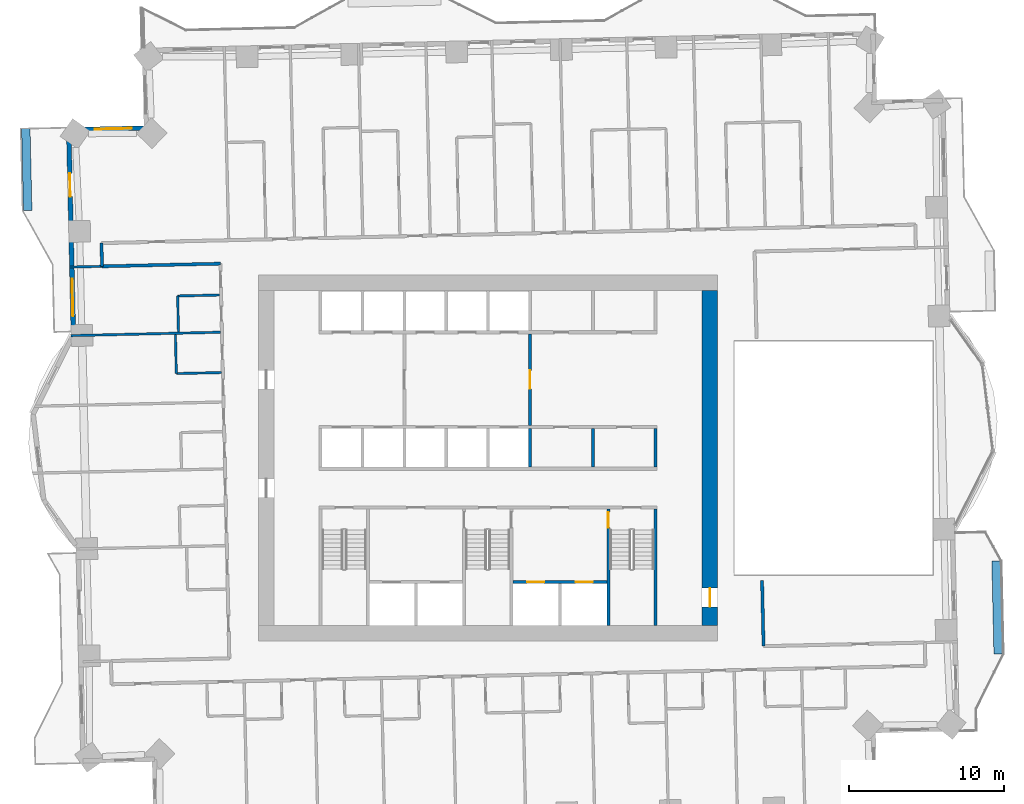
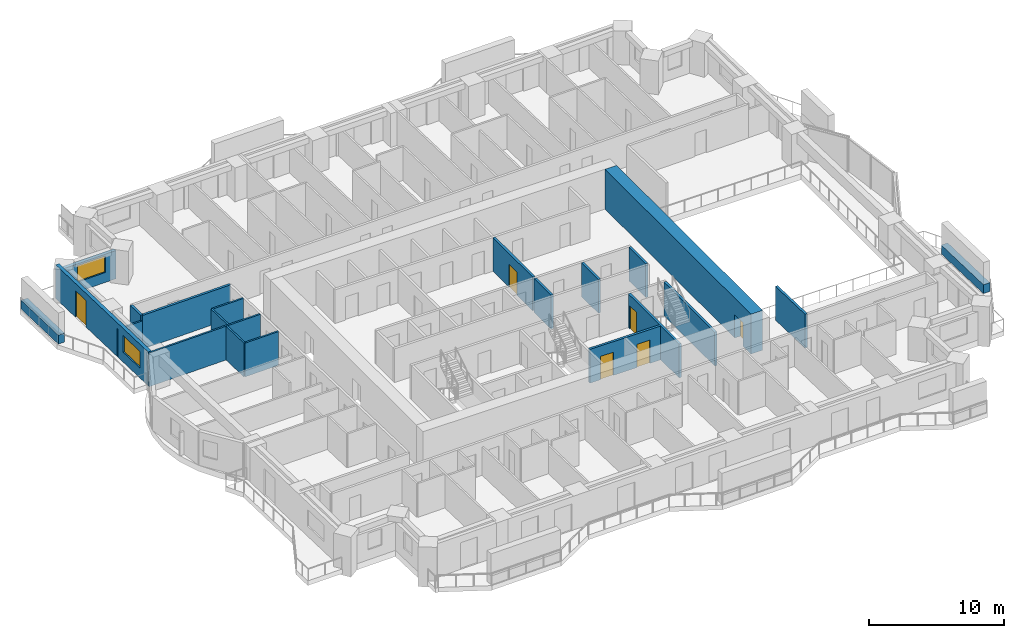
# One storey, part 10 of 17: 21 walls, 6 doors, 2 windows, 8 openings.
"""IFC4 building model written with IfcOpenShell, lengths in metres."""

from ifc_helpers import new_model, si_unit, direction, frame, frame_2d, origin, place, context, subcontext, project, spatial, rectangle, extrude, material, layer, layer_set, type_object, element, fill, save


model = new_model("IFC4")

# Units and contexts
model_context = context("Model", 3, precision=1e-05, world=origin(), true_north=direction((0.0, 1.0)))
body_context = subcontext(model_context, "Body", "Model", "MODEL_VIEW")
ifc_project = project(units=[si_unit("LENGTHUNIT", "METRE"), si_unit("AREAUNIT", "SQUARE_METRE"), si_unit("VOLUMEUNIT", "CUBIC_METRE"), si_unit("PLANEANGLEUNIT", "RADIAN"), si_unit("MASSUNIT", "GRAM", prefix="KILO")], contexts=[model_context])

# Site, building, storey
site_placement = place(None, origin())
site = spatial("IfcSite", under=ifc_project, at=site_placement, CompositionType="ELEMENT")
building_placement = place(site_placement, origin())
building = spatial("IfcBuilding", under=site, at=building_placement, Name="Mangrove Gate Tower", CompositionType="ELEMENT")
storey_placement = place(building_placement, frame((0.0, 0.0, 93.699951171875)))
storey = spatial("IfcBuildingStorey", under=building, at=storey_placement, Name="L23", CompositionType="ELEMENT", Elevation=93.699951171875)

# Wall, opening, door
ifc_material_1 = material(Name="Concrete C32/40", Category="concrete")
ifc_layer_1 = layer(ifc_material_1, 0.199951171875)
ifc_layer_set_1 = layer_set([ifc_layer_1], Name="Core lobby wall 200 C32/40")
wall_type_1 = type_object("IfcWallType", Name="Core lobby wall 200 C32/40", PredefinedType="STANDARD", material=ifc_layer_set_1)
wall_1_placement = place(storey_placement, frame((2.699951171875, 2.10009765625, 0.0), z_axis=(0.0, 0.0, 1.0), x_axis=(0.0, 1.0, 0.0)))
wall_1 = element("IfcWall", 1, at=wall_1_placement, inside=storey, type_object=wall_type_1, Name="WALL-L23-CORE-36", PredefinedType="STANDARD", context=body_context, shape_type="SweptSolid", body=[
    extrude(rectangle(XDim=5.89990234375, YDim=0.199951171875, at=frame_2d((2.949951171875, 0.0))), origin(), (0.0, 0.0, 1.0), 3.050048828125),
])
opening_1_placement = place(wall_1_placement, frame((2.35009765625, 0.0, 0.0)))
opening_1 = element("IfcOpeningElement", 2, at=opening_1_placement, cuts=wall_1, Name="Opening FL12", PredefinedType="OPENING", context=body_context, shape_type="SweptSolid", body=[
    extrude(rectangle(XDim=1.199951171875, YDim=2.10009765625, at=frame_2d((0.60009765625, 1.050048828125))), frame((0.0, 0.10986328125, 0.0), z_axis=(0.0, -1.0, 0.0), x_axis=(1.0, 0.0, 0.0)), (0.0, 0.0, 1.0), 0.219970703125),
])
ifc_material_2 = material(Name="Fire-rated steel door set", Category="steel")
door_type_1 = type_object("IfcDoorType", Name="Lobby door FD60 1200x2100", OperationType="SINGLE_SWING_LEFT", PredefinedType="DOOR", material=ifc_material_2)
door_1_placement = place(opening_1_placement, origin())
door_1 = element("IfcDoor", 3, at=door_1_placement, inside=storey, type_object=door_type_1, Name="Lobby door lift lobby partition", OperationType="SINGLE_SWING_LEFT", OverallHeight=2.10009765625, OverallWidth=1.199951171875, PredefinedType="DOOR", context=body_context, shape_type="SweptSolid", body=[
    extrude(rectangle(XDim=1.199951171875, YDim=2.10009765625, at=frame_2d((0.60009765625, 1.050048828125))), frame((0.0, 0.02490234375, 0.0), z_axis=(0.0, -1.0, 0.0), x_axis=(1.0, 0.0, 0.0)), (0.0, 0.0, 1.0), 0.050048828125),
])
fill(opening_1, door_1)

# Walls
ifc_material_3 = material(Name="Concrete C32/40", Category="concrete")
ifc_layer_2 = layer(ifc_material_3, 0.199951171875)
ifc_layer_set_2 = layer_set([ifc_layer_2], Name="Core room wall 200 C32/40")
wall_type_2 = type_object("IfcWallType", Name="Core room wall 200 C32/40", PredefinedType="STANDARD", material=ifc_layer_set_2)
for number, where, z_axis, x_axis, name in (
    (4, (6.75, -0.60009765625, 0.0), (0.0, 0.0, 1.0), (0.0, 1.0, 0.0), "WALL-L23-CORE-25"),
    (5, (10.800048828125, -0.60009765625, 0.0), (0.0, 0.0, 1.0), (0.0, 1.0, 0.0), "WALL-L23-CORE-26"),
):
    element("IfcWall", number, at=place(storey_placement, frame(where, z_axis=z_axis, x_axis=x_axis)), inside=storey, type_object=wall_type_2, Name=name, PredefinedType="STANDARD", context=body_context, shape_type="SweptSolid", body=[
        extrude(rectangle(XDim=2.5, YDim=0.199951171875, at=frame_2d((1.25, 0.0))), origin(), (0.0, 0.0, 1.0), 3.050048828125),
    ])

# Wall, openings, doors
ifc_material_4 = material(Name="Concrete C70/85", Category="concrete")
ifc_layer_3 = layer(ifc_material_4, 0.199951171875)
ifc_layer_set_3 = layer_set([ifc_layer_3], Name="Core shaft wall 200 C70/85")
wall_type_3 = type_object("IfcWallType", Name="Core shaft wall 200 C70/85", PredefinedType="SHEAR", material=ifc_layer_set_3)
wall_2_placement = place(storey_placement, frame((1.60009765625, -8.0, 0.0), z_axis=(0.0, 0.0, 1.0), x_axis=(1.0, 0.0, 0.0)))
wall_2 = element("IfcWall", 6, at=wall_2_placement, inside=storey, type_object=wall_type_3, Name="WALL-L23-CORE-17", PredefinedType="SHEAR", context=body_context, shape_type="SweptSolid", body=[
    extrude(rectangle(XDim=6.0498046875, YDim=0.199951171875, at=frame_2d((3.02490234375, 0.0))), origin(), (0.0, 0.0, 1.0), 3.050048828125),
])
opening_2_placement = place(wall_2_placement, frame((0.91259765625, 0.0, 0.0)))
opening_2 = element("IfcOpeningElement", 7, at=opening_2_placement, cuts=wall_2, Name="Opening LD", PredefinedType="OPENING", context=body_context, shape_type="SweptSolid", body=[
    extrude(rectangle(XDim=1.10009765625, YDim=2.10009765625, at=frame_2d((0.550048828125, 1.050048828125))), frame((0.0, 0.10986328125, 0.0), z_axis=(0.0, -1.0, 0.0), x_axis=(1.0, 0.0, 0.0)), (0.0, 0.0, 1.0), 0.219970703125),
])
opening_3_placement = place(wall_2_placement, frame((4.03759765625, 0.0, 0.0)))
opening_3 = element("IfcOpeningElement", 8, at=opening_3_placement, cuts=wall_2, Name="Opening LD", PredefinedType="OPENING", context=body_context, shape_type="SweptSolid", body=[
    extrude(rectangle(XDim=1.10009765625, YDim=2.10009765625, at=frame_2d((0.550048828125, 1.050048828125))), frame((0.0, 0.10986328125, 0.0), z_axis=(0.0, -1.0, 0.0), x_axis=(1.0, 0.0, 0.0)), (0.0, 0.0, 1.0), 0.219970703125),
])
ifc_material_5 = material(Name="Stainless steel 316", Category="steel")
door_type_2 = type_object("IfcDoorType", Name="Lift landing door 1100x2100", OperationType="SLIDING_TO_LEFT", PredefinedType="DOOR", material=ifc_material_5)
door_2_placement = place(opening_2_placement, origin())
door_2 = element("IfcDoor", 9, at=door_2_placement, inside=storey, type_object=door_type_2, Name="Landing door LD FFL1", OperationType="SLIDING_TO_LEFT", OverallHeight=2.10009765625, OverallWidth=1.10009765625, PredefinedType="DOOR", context=body_context, shape_type="SweptSolid", body=[
    extrude(rectangle(XDim=1.10009765625, YDim=2.10009765625, at=frame_2d((0.550048828125, 1.050048828125))), frame((0.0, 0.02490234375, 0.0), z_axis=(0.0, -1.0, 0.0), x_axis=(1.0, 0.0, 0.0)), (0.0, 0.0, 1.0), 0.050048828125),
])
fill(opening_2, door_2)
door_3_placement = place(opening_3_placement, origin())
door_3 = element("IfcDoor", 10, at=door_3_placement, inside=storey, type_object=door_type_2, Name="Landing door LD FFL2", OperationType="SLIDING_TO_LEFT", OverallHeight=2.10009765625, OverallWidth=1.10009765625, PredefinedType="DOOR", context=body_context, shape_type="SweptSolid", body=[
    extrude(rectangle(XDim=1.10009765625, YDim=2.10009765625, at=frame_2d((0.550048828125, 1.050048828125))), frame((0.0, 0.02490234375, 0.0), z_axis=(0.0, -1.0, 0.0), x_axis=(1.0, 0.0, 0.0)), (0.0, 0.0, 1.0), 0.050048828125),
])
fill(opening_3, door_3)

# Wall
wall_3_placement = place(storey_placement, frame((2.699951171875, -0.60009765625, 0.0), z_axis=(0.0, 0.0, 1.0), x_axis=(0.0, 1.0, 0.0)))
element("IfcWall", 11, at=wall_3_placement, inside=storey, type_object=wall_type_3, Name="WALL-L23-CORE-24", PredefinedType="SHEAR", context=body_context, shape_type="SweptSolid", body=[
    extrude(rectangle(XDim=2.5, YDim=0.199951171875, at=frame_2d((1.25, 0.0))), origin(), (0.0, 0.0, 1.0), 3.050048828125),
])

# Wall, opening, door
ifc_material_6 = material(Name="Concrete C70/85", Category="concrete")
ifc_layer_4 = layer(ifc_material_6, 0.199951171875)
ifc_layer_set_4 = layer_set([ifc_layer_4], Name="Core stair wall 200 C70/85")
wall_type_4 = type_object("IfcWallType", Name="Core stair wall 200 C70/85", PredefinedType="SHEAR", material=ifc_layer_set_4)
wall_4_placement = place(storey_placement, frame((7.75, -10.800048828125, 0.0), z_axis=(0.0, 0.0, 1.0), x_axis=(0.0, 1.0, 0.0)))
wall_4 = element("IfcWall", 12, at=wall_4_placement, inside=storey, type_object=wall_type_4, Name="WALL-L23-CORE-13", PredefinedType="SHEAR", context=body_context, shape_type="SweptSolid", body=[
    extrude(rectangle(XDim=7.5, YDim=0.199951171875, at=frame_2d((3.75, 0.0))), origin(), (0.0, 0.0, 1.0), 3.050048828125),
])
opening_4_placement = place(wall_4_placement, frame((6.300048828125, 0.0, 0.0)))
opening_4 = element("IfcOpeningElement", 13, at=opening_4_placement, cuts=wall_4, Name="Opening STD10", PredefinedType="OPENING", context=body_context, shape_type="SweptSolid", body=[
    extrude(rectangle(XDim=1.0, YDim=2.10009765625, at=frame_2d((0.5, 1.050048828125))), frame((0.0, 0.10986328125, 0.0), z_axis=(0.0, -1.0, 0.0), x_axis=(1.0, 0.0, 0.0)), (0.0, 0.0, 1.0), 0.219970703125),
])
ifc_material_7 = material(Name="Fire-rated steel door set", Category="steel")
door_type_3 = type_object("IfcDoorType", Name="Stair door FD60 1000x2100", OperationType="SINGLE_SWING_RIGHT", PredefinedType="DOOR", material=ifc_material_7)
door_4_placement = place(opening_4_placement, origin())
door_4 = element("IfcDoor", 14, at=door_4_placement, inside=storey, type_object=door_type_3, Name="Stair door Stair 3 from fire-fighting lobby", OperationType="SINGLE_SWING_RIGHT", OverallHeight=2.10009765625, OverallWidth=1.0, PredefinedType="DOOR", context=body_context, shape_type="SweptSolid", body=[
    extrude(rectangle(XDim=1.0, YDim=2.10009765625, at=frame_2d((0.5, 1.050048828125))), frame((0.0, 0.02490234375, 0.0), z_axis=(0.0, -1.0, 0.0), x_axis=(1.0, 0.0, 0.0)), (0.0, 0.0, 1.0), 0.050048828125),
])
fill(opening_4, door_4)

# Wall
wall_5_placement = place(storey_placement, frame((10.800048828125, -10.800048828125, 0.0), z_axis=(0.0, 0.0, 1.0), x_axis=(0.0, 1.0, 0.0)))
element("IfcWall", 15, at=wall_5_placement, inside=storey, type_object=wall_type_4, Name="WALL-L23-CORE-14", PredefinedType="SHEAR", context=body_context, shape_type="SweptSolid", body=[
    extrude(rectangle(XDim=7.5, YDim=0.199951171875, at=frame_2d((3.75, 0.0))), origin(), (0.0, 0.0, 1.0), 3.050048828125),
])

# Wall, opening, door
ifc_material_8 = material(Name="Concrete C70/85", Category="concrete")
ifc_layer_5 = layer(ifc_material_8, 1.0)
ifc_layer_set_5 = layer_set([ifc_layer_5], Name="Core wall 1000 C70/85")
wall_type_5 = type_object("IfcWallType", Name="Core wall 1000 C70/85", PredefinedType="SHEAR", material=ifc_layer_set_5)
wall_6_placement = place(storey_placement, frame((14.300048828125, -10.800048828125, 0.0), z_axis=(0.0, 0.0, 1.0), x_axis=(0.0, 1.0, 0.0)))
wall_6 = element("IfcWall", 16, at=wall_6_placement, inside=storey, type_object=wall_type_5, Name="WALL-L23-CORE-4", PredefinedType="SHEAR", context=body_context, shape_type="SweptSolid", body=[
    extrude(rectangle(XDim=21.60009765625, YDim=1.0, at=frame_2d((10.800048828125, 0.0))), origin(), (0.0, 0.0, 1.0), 3.60009765625),
])
opening_5_placement = place(wall_6_placement, frame((1.199951171875, 0.0, 0.0)))
opening_5 = element("IfcOpeningElement", 17, at=opening_5_placement, cuts=wall_6, Name="Opening CD", PredefinedType="OPENING", context=body_context, shape_type="SweptSolid", body=[
    extrude(rectangle(XDim=1.199951171875, YDim=2.10009765625, at=frame_2d((0.60009765625, 1.050048828125))), frame((0.0, 0.510009765625, 0.0), z_axis=(0.0, -1.0, 0.0), x_axis=(1.0, 0.0, 0.0)), (0.0, 0.0, 1.0), 1.02001953125),
])
ifc_material_9 = material(Name="Fire-rated steel door set", Category="steel")
door_type_4 = type_object("IfcDoorType", Name="Core ring door FD60 1200x2100", OperationType="DOUBLE_DOOR_SINGLE_SWING", PredefinedType="DOOR", material=ifc_material_9)
door_5_placement = place(opening_5_placement, origin())
door_5 = element("IfcDoor", 18, at=door_5_placement, inside=storey, type_object=door_type_4, Name="Core ring door E1", OperationType="DOUBLE_DOOR_SINGLE_SWING", OverallHeight=2.10009765625, OverallWidth=1.199951171875, PredefinedType="DOOR", context=body_context, shape_type="SweptSolid", body=[
    extrude(rectangle(XDim=1.199951171875, YDim=2.10009765625, at=frame_2d((0.60009765625, 1.050048828125))), frame((0.0, 0.02490234375, 0.0), z_axis=(0.0, -1.0, 0.0), x_axis=(1.0, 0.0, 0.0)), (0.0, 0.0, 1.0), 0.050048828125),
])
fill(opening_5, door_5)

# Walls
ifc_material_10 = material(Name="Gypsum board on steel stud, EI 60", Category="steel")
ifc_layer_6 = layer(ifc_material_10, 0.199951171875)
ifc_layer_set_6 = layer_set([ifc_layer_6], Name="Corridor wall EI 60")
wall_type_6 = type_object("IfcWallType", Name="Corridor wall EI 60", PredefinedType="PARTITIONING", material=ifc_layer_set_6)
wall_7_placement = place(storey_placement, frame((17.757080078125, -12.136962890625, 0.0), z_axis=(0.0, 0.0, 1.0), x_axis=(-0.022718785711, 0.999741895079, 0.0)))
element("IfcWall", 19, at=wall_7_placement, inside=storey, type_object=wall_type_6, Name="WALL-L23-036", PredefinedType="PARTITIONING", context=body_context, shape_type="SweptSolid", body=[
    extrude(rectangle(XDim=4.23388671875, YDim=0.199951171875, at=frame_2d((2.116943359375, 0.0))), origin(), (0.0, 0.0, 1.0), 3.050048828125),
])
wall_8_placement = place(storey_placement, frame((-24.889892578125, 12.35205078125, 0.0), z_axis=(0.0, 0.0, 1.0), x_axis=(-0.02279537805, 0.999740151609, 0.0)))
element("IfcWall", 20, at=wall_8_placement, inside=storey, type_object=wall_type_6, Name="WALL-L23-054", PredefinedType="PARTITIONING", context=body_context, shape_type="SweptSolid", body=[
    extrude(rectangle(XDim=1.49951171875, YDim=0.199951171875, at=frame_2d((0.749755859375, 0.0))), origin(), (0.0, 0.0, 1.0), 3.050048828125),
])
wall_9_placement = place(storey_placement, frame((-24.885986328125, 12.35205078125, 0.0), z_axis=(0.0, 0.0, 1.0), x_axis=(0.999743418763, 0.0226516366, 0.0)))
element("IfcWall", 21, at=wall_9_placement, inside=storey, type_object=wall_type_6, Name="WALL-L23-055", PredefinedType="PARTITIONING", context=body_context, shape_type="SweptSolid", body=[
    extrude(rectangle(XDim=7.630859375, YDim=0.199951171875, at=frame_2d((3.8154296875, 0.0))), origin(), (0.0, 0.0, 1.0), 3.050048828125),
])

# Wall, opening, window
ifc_material_11 = material(Name="Limestone", Category="masonry")
ifc_layer_7 = layer(ifc_material_11, 0.0400390625, Name="Limestone cladding")
ifc_material_12 = material(Name="Ventilated air gap")
ifc_layer_8 = layer(ifc_material_12, 0.0400390625, Name="Ventilated cavity")
ifc_material_13 = material(Name="Mineral wool insulation")
ifc_layer_9 = layer(ifc_material_13, 0.06005859375, Name="Insulation")
ifc_material_14 = material(Name="Breather membrane")
ifc_layer_10 = layer(ifc_material_14, 0.001953125, Name="Breather membrane")
ifc_material_15 = material(Name="Concrete C20/25 blockwork", Category="masonry")
ifc_layer_11 = layer(ifc_material_15, 0.14990234375, Name="Blockwork backing wall")
ifc_material_16 = material(Name="Gypsum plaster")
ifc_layer_12 = layer(ifc_material_16, 0.008056640625, Name="Internal plaster")
ifc_layer_set_7 = layer_set([ifc_layer_7, ifc_layer_8, ifc_layer_9, ifc_layer_10, ifc_layer_11, ifc_layer_12], Name="External wall 300 limestone cladding")
wall_type_7 = type_object("IfcWallType", Name="External wall 300 limestone cladding", PredefinedType="SOLIDWALL", material=ifc_layer_set_7)
wall_10_placement = place(storey_placement, frame((-22.037109375, 21.26904296875, 0.0), z_axis=(0.0, 0.0, 1.0), x_axis=(-0.999739992103, -0.022802372469, 0.0)))
wall_10 = element("IfcWall", 22, at=wall_10_placement, inside=storey, type_object=wall_type_7, Name="WALL-L23-N7", PredefinedType="SOLIDWALL", context=body_context, shape_type="SweptSolid", body=[
    extrude(rectangle(XDim=5.0, YDim=0.300048828125, at=frame_2d((2.5, 0.0))), origin(), (0.0, 0.0, 1.0), 2.550048828125),
])
opening_6_placement = place(wall_10_placement, frame((0.927001953125, 0.0, 0.89990234375)))
opening_6 = element("IfcOpeningElement", 23, at=opening_6_placement, cuts=wall_10, Name="Opening W2", PredefinedType="OPENING", context=body_context, shape_type="SweptSolid", body=[
    extrude(rectangle(XDim=2.39990234375, YDim=1.5, at=frame_2d((1.199951171875, 0.75))), frame((0.0, 0.159912109375, 0.0), z_axis=(0.0, -1.0, 0.0), x_axis=(1.0, 0.0, 0.0)), (0.0, 0.0, 1.0), 0.320068359375),
])
ifc_material_17 = material(Name="Aluminium frame with double-glazed low-e glass", Category="aluminium")
window_type = type_object("IfcWindowType", Name="Corner room window 2400x1500", PartitioningType="DOUBLE_PANEL_VERTICAL", PredefinedType="WINDOW", material=ifc_material_17)
window_1_placement = place(opening_6_placement, origin())
window_1 = element("IfcWindow", 24, at=window_1_placement, inside=storey, type_object=window_type, Name="WIN-L23-N7-1", OverallHeight=1.5, OverallWidth=2.39990234375, PartitioningType="DOUBLE_PANEL_VERTICAL", PredefinedType="WINDOW", context=body_context, shape_type="SweptSolid", body=[
    extrude(rectangle(XDim=2.39990234375, YDim=1.5, at=frame_2d((1.199951171875, 0.75))), frame((0.0, 0.030029296875, 0.0), z_axis=(0.0, -1.0, 0.0), x_axis=(1.0, 0.0, 0.0)), (0.0, 0.0, 1.0), 0.06005859375),
])
fill(opening_6, window_1)

# Wall, openings, door, window
wall_11_placement = place(storey_placement, frame((-27.035888671875, 21.155029296875, 0.0), z_axis=(0.0, 0.0, 1.0), x_axis=(0.022730142562, -0.999741636934, 0.0)))
wall_11 = element("IfcWall", 25, at=wall_11_placement, inside=storey, type_object=wall_type_7, Name="WALL-L23-W8", PredefinedType="SOLIDWALL", context=body_context, shape_type="SweptSolid", body=[
    extrude(rectangle(XDim=13.329345703125, YDim=0.300048828125, at=frame_2d((6.66455078125, 0.0))), origin(), (0.0, 0.0, 1.0), 3.050048828125),
])
opening_7_placement = place(wall_11_placement, frame((2.804931640625, 0.0, 0.0)))
opening_7 = element("IfcOpeningElement", 26, at=opening_7_placement, cuts=wall_11, Name="Opening BD1", PredefinedType="OPENING", context=body_context, shape_type="SweptSolid", body=[
    extrude(rectangle(XDim=1.5, YDim=2.39990234375, at=frame_2d((0.75, 1.199951171875))), frame((0.0, 0.159912109375, 0.0), z_axis=(0.0, -1.0, 0.0), x_axis=(1.0, 0.0, 0.0)), (0.0, 0.0, 1.0), 0.320068359375),
])
opening_8_placement = place(wall_11_placement, frame((9.612060546875, 0.0, 0.89990234375)))
opening_8 = element("IfcOpeningElement", 27, at=opening_8_placement, cuts=wall_11, Name="Opening W2", PredefinedType="OPENING", context=body_context, shape_type="SweptSolid", body=[
    extrude(rectangle(XDim=2.39990234375, YDim=1.5, at=frame_2d((1.199951171875, 0.75))), frame((0.0, 0.159912109375, 0.0), z_axis=(0.0, -1.0, 0.0), x_axis=(1.0, 0.0, 0.0)), (0.0, 0.0, 1.0), 0.320068359375),
])
ifc_material_18 = material(Name="Aluminium frame with laminated clear glass", Category="aluminium")
door_type_5 = type_object("IfcDoorType", Name="Balcony sliding door 1500x2400", OperationType="SLIDING_TO_LEFT", PredefinedType="DOOR", material=ifc_material_18)
door_6_placement = place(opening_7_placement, origin())
door_6 = element("IfcDoor", 28, at=door_6_placement, inside=storey, type_object=door_type_5, Name="DOOR-L23-W8-1", OperationType="SLIDING_TO_LEFT", OverallHeight=2.39990234375, OverallWidth=1.5, PredefinedType="DOOR", context=body_context, shape_type="SweptSolid", body=[
    extrude(rectangle(XDim=1.5, YDim=2.39990234375, at=frame_2d((0.75, 1.199951171875))), frame((0.0, 0.02490234375, 0.0), z_axis=(0.0, -1.0, 0.0), x_axis=(1.0, 0.0, 0.0)), (0.0, 0.0, 1.0), 0.050048828125),
])
fill(opening_7, door_6)
window_2_placement = place(opening_8_placement, origin())
window_2 = element("IfcWindow", 29, at=window_2_placement, inside=storey, type_object=window_type, Name="WIN-L23-W8-2", OverallHeight=1.5, OverallWidth=2.39990234375, PartitioningType="DOUBLE_PANEL_VERTICAL", PredefinedType="WINDOW", context=body_context, shape_type="SweptSolid", body=[
    extrude(rectangle(XDim=2.39990234375, YDim=1.5, at=frame_2d((1.199951171875, 0.75))), frame((0.0, 0.030029296875, 0.0), z_axis=(0.0, -1.0, 0.0), x_axis=(1.0, 0.0, 0.0)), (0.0, 0.0, 1.0), 0.06005859375),
])
fill(opening_8, window_2)

# Walls
ifc_material_19 = material(Name="Gypsum board on steel stud, EI 60", Category="steel")
ifc_layer_13 = layer(ifc_material_19, 0.14990234375)
ifc_layer_set_8 = layer_set([ifc_layer_13], Name="Party wall 150 EI 60")
wall_type_8 = type_object("IfcWallType", Name="Party wall 150 EI 60", PredefinedType="PARTITIONING", material=ifc_layer_set_8)
wall_12_placement = place(storey_placement, frame((-20.10107421875, 5.43408203125, 0.0), z_axis=(0.0, 0.0, 1.0), x_axis=(-0.022919108675, 0.999737322729, 0.0)))
element("IfcWall", 30, at=wall_12_placement, inside=storey, type_object=wall_type_8, Name="WALL-L23-047", PredefinedType="PARTITIONING", context=body_context, shape_type="SweptSolid", body=[
    extrude(rectangle(XDim=2.524658203125, YDim=0.14990234375, at=frame_2d((1.26220703125, 0.0))), origin(), (0.0, 0.0, 1.0), 3.050048828125),
])
wall_13_placement = place(storey_placement, frame((-20.096923828125, 5.43896484375, 0.0), z_axis=(0.0, 0.0, 1.0), x_axis=(0.999741748633, 0.022725229174, 0.0)))
element("IfcWall", 31, at=wall_13_placement, inside=storey, type_object=wall_type_8, Name="WALL-L23-048", PredefinedType="PARTITIONING", context=body_context, shape_type="SweptSolid", body=[
    extrude(rectangle(XDim=2.900634765625, YDim=0.14990234375, at=frame_2d((1.4501953125, 0.0))), origin(), (0.0, 0.0, 1.0), 3.050048828125),
])
wall_14_placement = place(storey_placement, frame((-19.9619140625, 8.112060546875, 0.0), z_axis=(0.0, 0.0, 1.0), x_axis=(-0.022781023197, 0.999740478815, 0.0)))
element("IfcWall", 32, at=wall_14_placement, inside=storey, type_object=wall_type_8, Name="WALL-L23-050", PredefinedType="PARTITIONING", context=body_context, shape_type="SweptSolid", body=[
    extrude(rectangle(XDim=2.325439453125, YDim=0.14990234375, at=frame_2d((1.16259765625, 0.0))), origin(), (0.0, 0.0, 1.0), 3.050048828125),
])
wall_15_placement = place(storey_placement, frame((-26.885009765625, 7.885009765625, 0.0), z_axis=(0.0, 0.0, 1.0), x_axis=(0.999741468995, 0.022737527832, 0.0)))
element("IfcWall", 33, at=wall_15_placement, inside=storey, type_object=wall_type_8, Name="WALL-L23-051", PredefinedType="PARTITIONING", context=body_context, shape_type="SweptSolid", body=[
    extrude(rectangle(XDim=9.63134765625, YDim=0.14990234375, at=frame_2d((4.815673828125, 0.0))), origin(), (0.0, 0.0, 1.0), 3.050048828125),
])
wall_16_placement = place(storey_placement, frame((-20.010009765625, 10.44189453125, 0.0), z_axis=(0.0, 0.0, 1.0), x_axis=(0.999744396973, 0.02260842146, 0.0)))
element("IfcWall", 34, at=wall_16_placement, inside=storey, type_object=wall_type_8, Name="WALL-L23-052", PredefinedType="PARTITIONING", context=body_context, shape_type="SweptSolid", body=[
    extrude(rectangle(XDim=2.69970703125, YDim=0.14990234375, at=frame_2d((1.349853515625, 0.0))), origin(), (0.0, 0.0, 1.0), 3.050048828125),
])
wall_17_placement = place(storey_placement, frame((-26.985107421875, 12.303955078125, 0.0), z_axis=(0.0, 0.0, 1.0), x_axis=(0.999738589876, 0.02286376854, 0.0)))
element("IfcWall", 35, at=wall_17_placement, inside=storey, type_object=wall_type_8, Name="WALL-L23-053", PredefinedType="PARTITIONING", context=body_context, shape_type="SweptSolid", body=[
    extrude(rectangle(XDim=2.103515625, YDim=0.14990234375, at=frame_2d((1.0517578125, 0.0))), origin(), (0.0, 0.0, 1.0), 2.550048828125),
])
ifc_material_20 = material(Name="Concrete C32/40", Category="concrete")
ifc_layer_14 = layer(ifc_material_20, 0.199951171875, Name="Planter trough wall")
ifc_material_21 = material(Name="Bituminous waterproofing membrane")
ifc_layer_15 = layer(ifc_material_21, 0.0048828125, Name="Waterproofing")
ifc_material_22 = material(Name="Drainage board and gravel")
ifc_layer_16 = layer(ifc_material_22, 0.044921875, Name="Drainage layer")
ifc_material_23 = material(Name="Planting soil")
ifc_layer_17 = layer(ifc_material_23, 0.300048828125, Name="Growing medium")
ifc_layer_set_9 = layer_set([ifc_layer_14, ifc_layer_15, ifc_layer_16, ifc_layer_17], Name="Planter wall 550 C32/40")
wall_type_9 = type_object("IfcWallType", Name="Planter wall 550 C32/40", PredefinedType="USERDEFINED", material=ifc_layer_set_9)
wall_18_placement = place(storey_placement, frame((32.883056640625, -12.64404296875, 0.0), z_axis=(0.0, 0.0, 1.0), x_axis=(-0.022662255828, 0.999743178102, 0.0)))
element("IfcWall", 36, at=wall_18_placement, inside=storey, type_object=wall_type_9, Name="PLANTER L23 E0.1", ObjectType="PLANTER", PredefinedType="USERDEFINED", context=body_context, shape_type="SweptSolid", body=[
    extrude(rectangle(XDim=6.00048828125, YDim=0.550048828125, at=frame_2d((3.000244140625, 0.0))), origin(), (0.0, 0.0, 1.0), 0.800048828125),
])
wall_19_placement = place(storey_placement, frame((-29.68310546875, 15.944091796875, 0.0), z_axis=(0.0, 0.0, 1.0), x_axis=(-0.022805127419, 0.999739929263, 0.0)))
element("IfcWall", 37, at=wall_19_placement, inside=storey, type_object=wall_type_9, Name="PLANTER L23 W0.1", ObjectType="PLANTER", PredefinedType="USERDEFINED", context=body_context, shape_type="SweptSolid", body=[
    extrude(rectangle(XDim=5.29931640625, YDim=0.550048828125, at=frame_2d((2.649658203125, 0.0))), origin(), (0.0, 0.0, 1.0), 0.800048828125),
])

save(model, "model.ifc")
